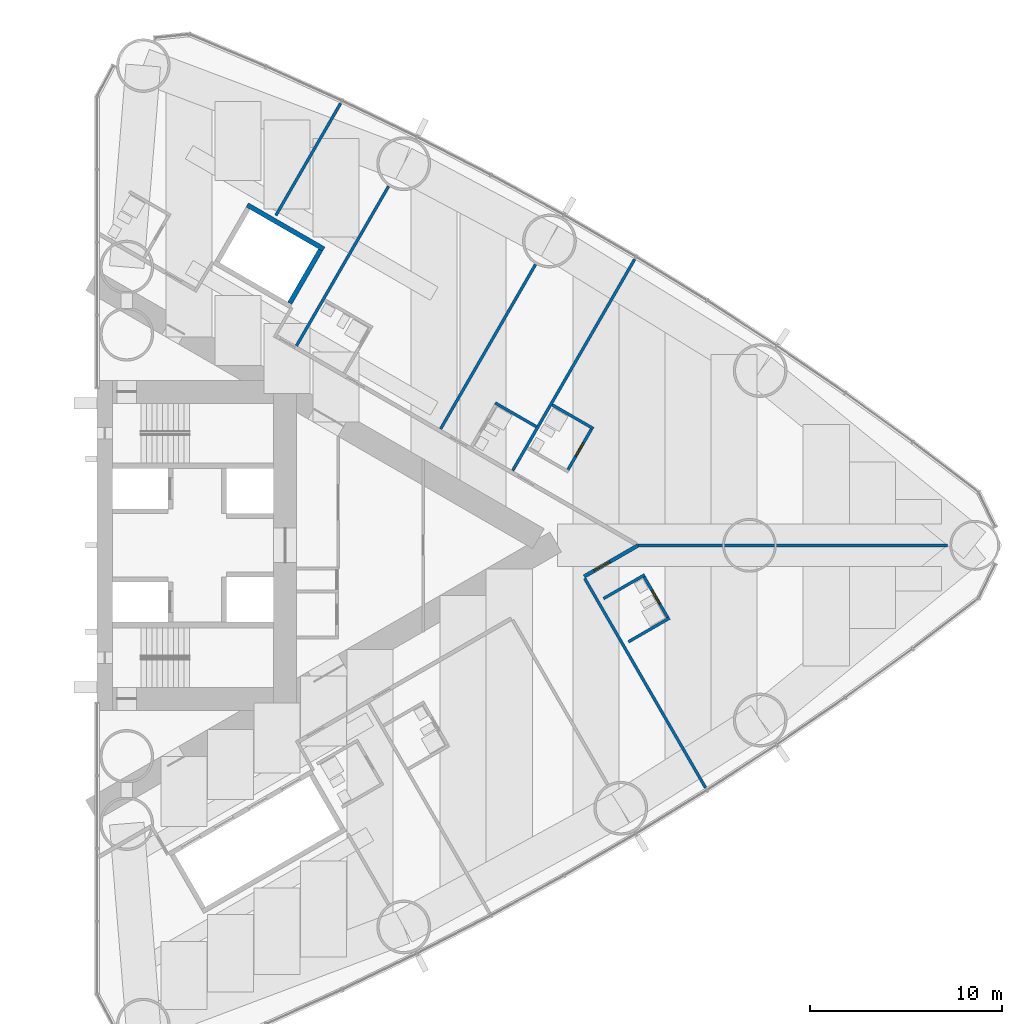
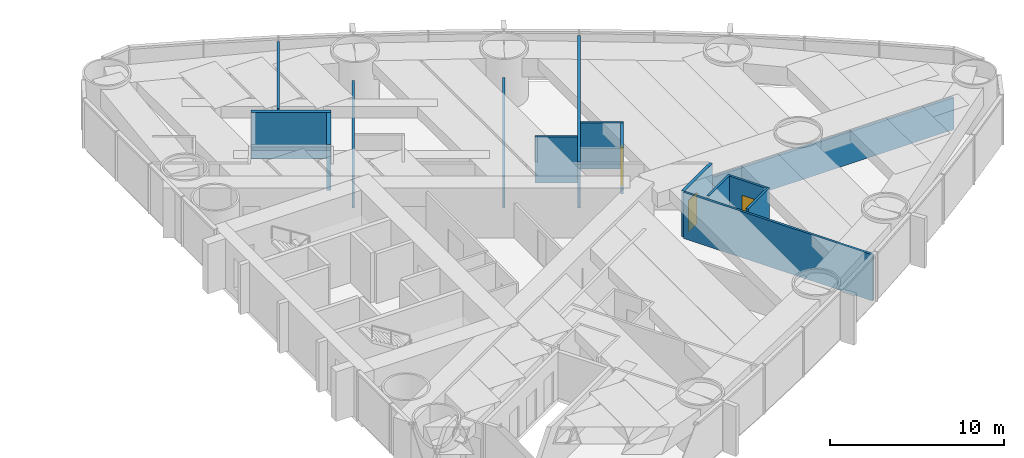
# One storey, part 15 of 18: 15 walls, 3 doors, 3 openings.
"""IFC4 building model written with IfcOpenShell, lengths in metres."""

from ifc_helpers import new_model, si_unit, direction, frame, frame_2d, origin, place, context, subcontext, project, spatial, rectangle, extrude, material, layer, layer_set, type_object, element, fill, save


model = new_model("IFC4")

# Units and contexts
model_context = context("Model", 3, precision=1e-05, world=origin(), true_north=direction((0.0, 1.0)))
body_context = subcontext(model_context, "Body", "Model", "MODEL_VIEW")
ifc_project = project(units=[si_unit("LENGTHUNIT", "METRE"), si_unit("AREAUNIT", "SQUARE_METRE"), si_unit("VOLUMEUNIT", "CUBIC_METRE"), si_unit("PLANEANGLEUNIT", "RADIAN"), si_unit("MASSUNIT", "GRAM", prefix="KILO")], contexts=[model_context])

# Site, building, storey
site_placement = place(None, origin())
site = spatial("IfcSite", under=ifc_project, at=site_placement, CompositionType="ELEMENT")
building_placement = place(site_placement, origin())
building = spatial("IfcBuilding", under=site, at=building_placement, Name="Lancet Gate Hotel", CompositionType="ELEMENT")
storey_placement = place(building_placement, frame((0.0, 0.0, 56.5)))
storey = spatial("IfcBuildingStorey", under=building, at=storey_placement, Name="L14", CompositionType="ELEMENT", Elevation=56.5)

# Wall
ifc_material_1 = material(Name="Moisture resistant board partition")
ifc_layer_1 = layer(ifc_material_1, 0.14990234375)
ifc_layer_set_1 = layer_set([ifc_layer_1], Name="Bathroom wall 150")
wall_type_1 = type_object("IfcWallType", Name="Bathroom wall 150", PredefinedType="PARTITIONING", material=ifc_layer_set_1)
wall_1_placement = place(storey_placement, frame((55.196044921875, -5.0263671875, 0.0), z_axis=(0.0, 0.0, 1.0), x_axis=(0.866073894602, 0.499916002032, 0.0)))
element("IfcWall", 1, at=wall_1_placement, inside=storey, type_object=wall_type_1, Name="T2 bathroom wall 150 L14", PredefinedType="PARTITIONING", context=body_context, shape_type="SweptSolid", body=[
    extrude(rectangle(XDim=2.47509765625, YDim=0.14990234375, at=frame_2d((1.237548828125, 0.0))), origin(), (0.0, 0.0, 1.0), 3.25),
])

# Wall, opening, door
wall_2_placement = place(storey_placement, frame((55.974609375, -1.57470703125, 0.0), z_axis=(0.0, 0.0, 1.0), x_axis=(0.500006934395, -0.866021400173, 0.0)))
wall_2 = element("IfcWall", 2, at=wall_2_placement, inside=storey, type_object=wall_type_1, Name="T2 bathroom wall 150 L14", PredefinedType="PARTITIONING", context=body_context, shape_type="SweptSolid", body=[
    extrude(rectangle(XDim=2.60009765625, YDim=0.14990234375, at=frame_2d((1.300048828125, 0.0))), origin(), (0.0, 0.0, 1.0), 3.25),
])
opening_1_placement = place(wall_2_placement, frame((0.89990234375, 0.0, 0.0)))
opening_1 = element("IfcOpeningElement", 3, at=opening_1_placement, cuts=wall_2, Name="Opening 1457-B", PredefinedType="OPENING", context=body_context, shape_type="SweptSolid", body=[
    extrude(rectangle(XDim=0.800048828125, YDim=2.199951171875, at=frame_2d((0.39990234375, 1.10009765625))), frame((0.0, 0.0849609375, 0.0), z_axis=(0.0, -1.0, 0.0), x_axis=(1.0, 0.0, 0.0)), (0.0, 0.0, 1.0), 0.169921875),
])
ifc_material_2 = material(Name="Timber door set", Category="wood")
door_type_1 = type_object("IfcDoorType", Name="Bathroom door 800", OperationType="SINGLE_SWING_RIGHT", PredefinedType="DOOR", material=ifc_material_2)
door_1_placement = place(opening_1_placement, origin())
door_1 = element("IfcDoor", 4, at=door_1_placement, inside=storey, type_object=door_type_1, Name="1457-B", OperationType="SINGLE_SWING_RIGHT", OverallHeight=2.199951171875, OverallWidth=0.800048828125, PredefinedType="DOOR", context=body_context, shape_type="SweptSolid", body=[
    extrude(rectangle(XDim=0.800048828125, YDim=2.199951171875, at=frame_2d((0.39990234375, 1.10009765625))), frame((0.0, 0.02490234375, 0.0), z_axis=(0.0, -1.0, 0.0), x_axis=(1.0, 0.0, 0.0)), (0.0, 0.0, 1.0), 0.050048828125),
])
fill(opening_1, door_1)

# Walls
wall_3_placement = place(storey_placement, frame((53.896240234375, -2.77490234375, 0.0), z_axis=(0.0, 0.0, 1.0), x_axis=(0.866006523861, 0.500032699561, 0.0)))
element("IfcWall", 5, at=wall_3_placement, inside=storey, type_object=wall_type_1, Name="T2 bathroom wall 150 L14", PredefinedType="PARTITIONING", context=body_context, shape_type="SweptSolid", body=[
    extrude(rectangle(XDim=2.474853515625, YDim=0.14990234375, at=frame_2d((1.2373046875, 0.0))), origin(), (0.0, 0.0, 1.0), 3.25),
])
wall_4_placement = place(storey_placement, frame((51.224365234375, 7.319580078125, 0.0), z_axis=(0.0, 0.0, 1.0), x_axis=(0.866031185235, -0.4999899861, 0.0)))
element("IfcWall", 6, at=wall_4_placement, inside=storey, type_object=wall_type_1, Name="T2 bathroom wall 150 L14", PredefinedType="PARTITIONING", context=body_context, shape_type="SweptSolid", body=[
    extrude(rectangle(XDim=2.47509765625, YDim=0.14990234375, at=frame_2d((1.237548828125, 0.0))), origin(), (0.0, 0.0, 1.0), 3.25),
])

# Wall, opening, door
wall_5_placement = place(storey_placement, frame((52.0029296875, 3.867919921875, 0.0), z_axis=(0.0, 0.0, 1.0), x_axis=(0.500047596559, 0.865997922154, 0.0)))
wall_5 = element("IfcWall", 7, at=wall_5_placement, inside=storey, type_object=wall_type_1, Name="T2 bathroom wall 150 L14", PredefinedType="PARTITIONING", context=body_context, shape_type="SweptSolid", body=[
    extrude(rectangle(XDim=2.599853515625, YDim=0.14990234375, at=frame_2d((1.2998046875, 0.0))), origin(), (0.0, 0.0, 1.0), 3.25),
])
opening_2_placement = place(wall_5_placement, frame((0.89990234375, 0.0, 0.0)))
opening_2 = element("IfcOpeningElement", 8, at=opening_2_placement, cuts=wall_5, Name="Opening 1458-B", PredefinedType="OPENING", context=body_context, shape_type="SweptSolid", body=[
    extrude(rectangle(XDim=0.800048828125, YDim=2.199951171875, at=frame_2d((0.39990234375, 1.10009765625))), frame((0.0, 0.0849609375, 0.0), z_axis=(0.0, -1.0, 0.0), x_axis=(1.0, 0.0, 0.0)), (0.0, 0.0, 1.0), 0.169921875),
])
door_2_placement = place(opening_2_placement, origin())
door_2 = element("IfcDoor", 9, at=door_2_placement, inside=storey, type_object=door_type_1, Name="1458-B", OperationType="SINGLE_SWING_RIGHT", OverallHeight=2.199951171875, OverallWidth=0.800048828125, PredefinedType="DOOR", context=body_context, shape_type="SweptSolid", body=[
    extrude(rectangle(XDim=0.800048828125, YDim=2.199951171875, at=frame_2d((0.39990234375, 1.10009765625))), frame((0.0, 0.02490234375, 0.0), z_axis=(0.0, -1.0, 0.0), x_axis=(1.0, 0.0, 0.0)), (0.0, 0.0, 1.0), 0.050048828125),
])
fill(opening_2, door_2)

# Wall
wall_6_placement = place(storey_placement, frame((48.251220703125, 7.419677734375, 0.0), z_axis=(0.0, 0.0, 1.0), x_axis=(0.866006523861, -0.500032699561, 0.0)))
element("IfcWall", 10, at=wall_6_placement, inside=storey, type_object=wall_type_1, Name="T2 bathroom wall 150 L14", PredefinedType="PARTITIONING", context=body_context, shape_type="SweptSolid", body=[
    extrude(rectangle(XDim=2.474853515625, YDim=0.14990234375, at=frame_2d((1.2373046875, 0.0))), origin(), (0.0, 0.0, 1.0), 3.25),
])

# Wall, opening, door
ifc_material_3 = material(Name="Gypsum board partition")
ifc_layer_2 = layer(ifc_material_3, 0.199951171875)
ifc_layer_set_2 = layer_set([ifc_layer_2], Name="Corridor wall 200")
wall_type_2 = type_object("IfcWallType", Name="Corridor wall 200", PredefinedType="PARTITIONING", material=ifc_layer_set_2)
wall_7_placement = place(storey_placement, frame((52.88623046875, -1.625732421875, 0.0), z_axis=(0.0, 0.0, 1.0), x_axis=(0.866030540913, 0.499991102127, 0.0)))
wall_7 = element("IfcWall", 11, at=wall_7_placement, inside=storey, type_object=wall_type_2, Name="T2 corridor wall 200 L14", PredefinedType="PARTITIONING", context=body_context, shape_type="SweptSolid", body=[
    extrude(rectangle(XDim=3.25146484375, YDim=0.199951171875, at=frame_2d((1.625732421875, 0.0))), origin(), (0.0, 0.0, 1.0), 3.25),
])
opening_3_placement = place(wall_7_placement, frame((0.60009765625, 0.0, 0.0)))
opening_3 = element("IfcOpeningElement", 12, at=opening_3_placement, cuts=wall_7, Name="Opening 1457-E", PredefinedType="OPENING", context=body_context, shape_type="SweptSolid", body=[
    extrude(rectangle(XDim=0.949951171875, YDim=2.199951171875, at=frame_2d((0.47509765625, 1.10009765625))), frame((0.0, 0.10986328125, 0.0), z_axis=(0.0, -1.0, 0.0), x_axis=(1.0, 0.0, 0.0)), (0.0, 0.0, 1.0), 0.219970703125),
])
ifc_material_4 = material(Name="Timber door set", Category="wood")
door_type_2 = type_object("IfcDoorType", Name="Guest room entry door 950", OperationType="SINGLE_SWING_LEFT", PredefinedType="DOOR", material=ifc_material_4)
door_3_placement = place(opening_3_placement, origin())
door_3 = element("IfcDoor", 13, at=door_3_placement, inside=storey, type_object=door_type_2, Name="1457-E", OperationType="SINGLE_SWING_LEFT", OverallHeight=2.199951171875, OverallWidth=0.949951171875, PredefinedType="DOOR", context=body_context, shape_type="SweptSolid", body=[
    extrude(rectangle(XDim=0.949951171875, YDim=2.199951171875, at=frame_2d((0.47509765625, 1.10009765625))), frame((0.0, 0.02490234375, 0.0), z_axis=(0.0, -1.0, 0.0), x_axis=(1.0, 0.0, 0.0)), (0.0, 0.0, 1.0), 0.050048828125),
])
fill(opening_3, door_3)

# Walls
ifc_material_5 = material(Name="Gypsum board partition")
ifc_layer_3 = layer(ifc_material_5, 0.25)
ifc_layer_set_3 = layer_set([ifc_layer_3], Name="Lift shaft partition 250")
wall_type_3 = type_object("IfcWallType", Name="Lift shaft partition 250", PredefinedType="PARTITIONING", material=ifc_layer_set_3)
wall_8_placement = place(storey_placement, frame((35.33349609375, 17.73583984375, 0.0), z_axis=(0.0, 0.0, 1.0), x_axis=(0.866043305498, -0.49996899204, 0.0)))
element("IfcWall", 14, at=wall_8_placement, inside=storey, type_object=wall_type_3, Name="T2 lift shaft wall EX L14", PredefinedType="PARTITIONING", context=body_context, shape_type="SweptSolid", body=[
    extrude(rectangle(XDim=4.600341796875, YDim=0.25, at=frame_2d((2.30029296875, 0.0))), origin(), (0.0, 0.0, 1.0), 3.25),
])
wall_9_placement = place(storey_placement, frame((37.546630859375, 12.617919921875, 0.0), z_axis=(0.0, 0.0, 1.0), x_axis=(0.499929347863, 0.866066190972, 0.0)))
element("IfcWall", 15, at=wall_9_placement, inside=storey, type_object=wall_type_3, Name="T2 lift shaft wall EX L14", PredefinedType="PARTITIONING", context=body_context, shape_type="SweptSolid", body=[
    extrude(rectangle(XDim=3.20068359375, YDim=0.25, at=frame_2d((1.600341796875, 0.0))), origin(), (0.0, 0.0, 1.0), 3.25),
])
ifc_material_6 = material(Name="Gypsum board partition")
ifc_layer_4 = layer(ifc_material_6, 0.14990234375)
ifc_layer_set_4 = layer_set([ifc_layer_4], Name="Party wall 150")
wall_type_4 = type_object("IfcWallType", Name="Party wall 150", PredefinedType="PARTITIONING", material=ifc_layer_set_4)
wall_10_placement = place(storey_placement, frame((52.914794921875, -1.724853515625, 0.0), z_axis=(0.0, 0.0, 1.0), x_axis=(0.499997163113, -0.866027041656, 0.0)))
element("IfcWall", 16, at=wall_10_placement, inside=storey, type_object=wall_type_4, Name="T2 party wall 150 L14", PredefinedType="PARTITIONING", context=body_context, shape_type="SweptSolid", body=[
    extrude(rectangle(XDim=12.5908203125, YDim=0.14990234375, at=frame_2d((6.29541015625, 0.0))), origin(), (0.0, 0.0, 1.0), 3.25),
])
wall_11_placement = place(storey_placement, frame((37.895263671875, 10.396484375, 0.0), z_axis=(0.0, 0.0, 1.0), x_axis=(0.499995616528, 0.866027934568, 0.0)))
element("IfcWall", 17, at=wall_11_placement, inside=storey, type_object=wall_type_4, Name="T2 party wall 150 L14", PredefinedType="PARTITIONING", context=body_context, shape_type="SweptSolid", body=[
    extrude(rectangle(XDim=9.59326171875, YDim=0.14990234375, at=frame_2d((4.796630859375, 0.0))), origin(), (0.0, 0.0, 1.0), 2.25),
])
wall_12_placement = place(storey_placement, frame((45.40283203125, 6.061767578125, 0.0), z_axis=(0.0, 0.0, 1.0), x_axis=(0.500013434677, 0.866017647131, 0.0)))
element("IfcWall", 18, at=wall_12_placement, inside=storey, type_object=wall_type_4, Name="T2 party wall 150 L14", PredefinedType="PARTITIONING", context=body_context, shape_type="SweptSolid", body=[
    extrude(rectangle(XDim=9.901611328125, YDim=0.14990234375, at=frame_2d((4.95068359375, 0.0))), origin(), (0.0, 0.0, 1.0), 2.25),
])
wall_13_placement = place(storey_placement, frame((49.159423828125, 3.892822265625, 0.0), z_axis=(0.0, 0.0, 1.0), x_axis=(0.499995664361, 0.866027906952, 0.0)))
element("IfcWall", 19, at=wall_13_placement, inside=storey, type_object=wall_type_4, Name="T2 party wall 150 L14", PredefinedType="PARTITIONING", context=body_context, shape_type="SweptSolid", body=[
    extrude(rectangle(XDim=12.71142578125, YDim=0.14990234375, at=frame_2d((6.355712890625, 0.0))), origin(), (0.0, 0.0, 1.0), 3.25),
])
wall_14_placement = place(storey_placement, frame((55.7021484375, 0.0, 0.0), z_axis=(0.0, 0.0, 1.0), x_axis=(1.0, 0.0, 0.0)))
element("IfcWall", 20, at=wall_14_placement, inside=storey, type_object=wall_type_4, Name="T2 party wall 150 L14", PredefinedType="PARTITIONING", context=body_context, shape_type="SweptSolid", body=[
    extrude(rectangle(XDim=16.116943359375, YDim=0.14990234375, at=frame_2d((8.05859375, 0.0))), origin(), (0.0, 0.0, 1.0), 2.25),
])
wall_15_placement = place(storey_placement, frame((36.823974609375, 17.19287109375, 0.0), z_axis=(0.0, 0.0, 1.0), x_axis=(0.500027691974, 0.866009415226, 0.0)))
element("IfcWall", 21, at=wall_15_placement, inside=storey, type_object=wall_type_4, Name="T2 party wall 150 L14", PredefinedType="PARTITIONING", context=body_context, shape_type="SweptSolid", body=[
    extrude(rectangle(XDim=6.73876953125, YDim=0.14990234375, at=frame_2d((3.369384765625, 0.0))), origin(), (0.0, 0.0, 1.0), 3.25),
])

save(model, "model.ifc")
